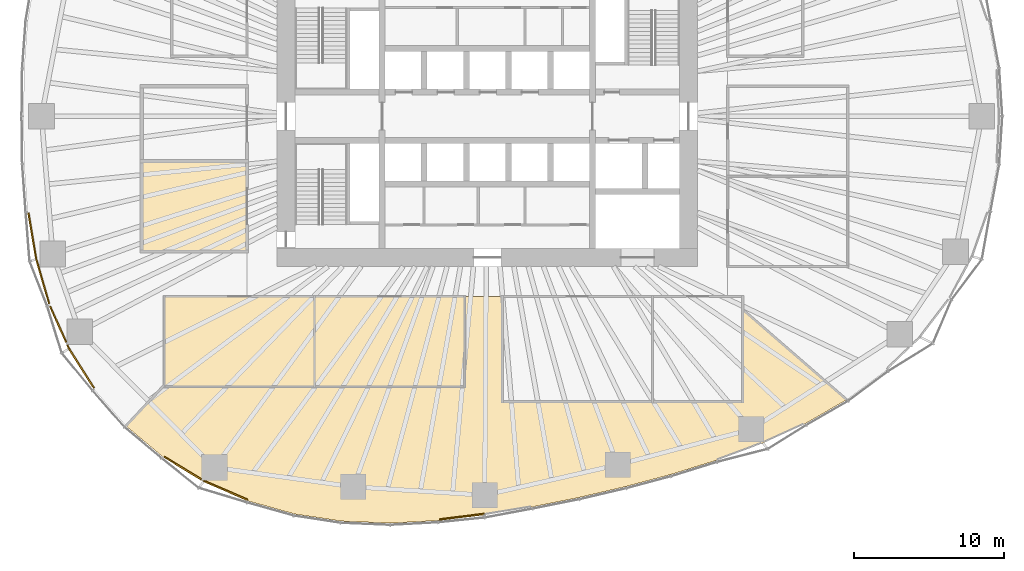
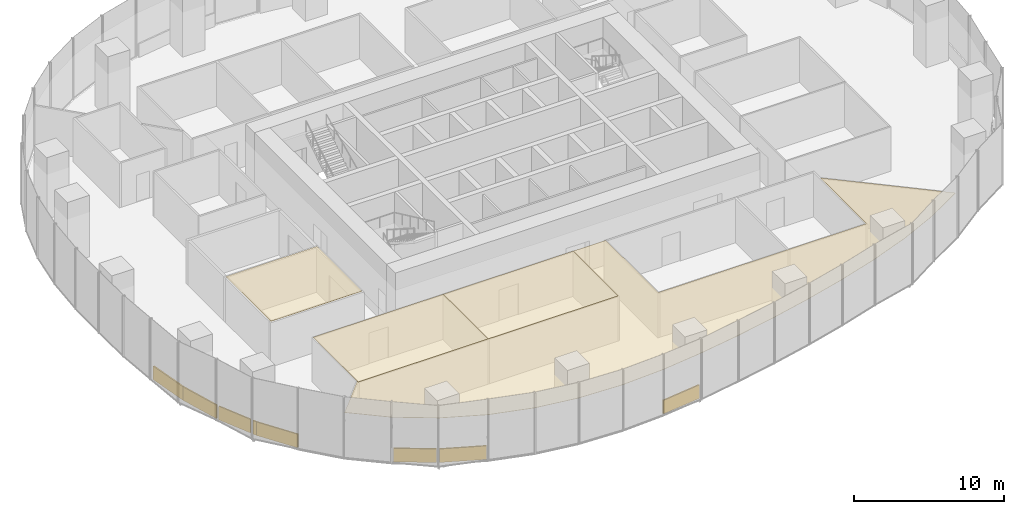
# One storey, part 17 of 20: 12 coverings.
"""IFC4 building model written with IfcOpenShell, lengths in metres."""

from ifc_helpers import new_model, si_unit, direction, frame, origin, origin_2d, place, context, subcontext, project, spatial, polyline, rectangle, outline, extrude, material, layer, layer_set, type_object, element, save


model = new_model("IFC4")

# Units and contexts
model_context = context("Model", 3, precision=1e-05, world=origin(), true_north=direction((0.0, 1.0)))
body_context = subcontext(model_context, "Body", "Model", "MODEL_VIEW")
ifc_project = project(units=[si_unit("LENGTHUNIT", "METRE"), si_unit("AREAUNIT", "SQUARE_METRE"), si_unit("VOLUMEUNIT", "CUBIC_METRE"), si_unit("PLANEANGLEUNIT", "RADIAN"), si_unit("MASSUNIT", "GRAM", prefix="KILO")], contexts=[model_context])

# Site, building, storey
site_placement = place(None, origin())
site = spatial("IfcSite", under=ifc_project, at=site_placement, CompositionType="ELEMENT")
building_placement = place(site_placement, origin())
building = spatial("IfcBuilding", under=site, at=building_placement, Name="Ghaith Harvest Tower", CompositionType="ELEMENT")
storey_placement = place(building_placement, frame((0.0, 0.0, 80.0)))
storey = spatial("IfcBuildingStorey", under=building, at=storey_placement, Name="L16", CompositionType="ELEMENT", Elevation=80.0)

# Coverings
ifc_material_1 = material(Name="Mineral fibre ceiling tile", Category="gypsum")
ifc_layer_1 = layer(ifc_material_1, 0.02490234375)
ifc_layer_set_1 = layer_set([ifc_layer_1], Name="CEILING C2")
covering_type_1 = type_object("IfcCoveringType", Name="CEILING C2", PredefinedType="CEILING", material=ifc_layer_set_1)
covering_1_placement = place(storey_placement, frame((0.0, 0.0, 3.60009765625)))
element("IfcCovering", 1, at=covering_1_placement, inside=storey, type_object=covering_type_1, Name="Ceiling L16-01", PredefinedType="CEILING", context=body_context, shape_type="SweptSolid", body=[
    extrude(outline(polyline([(-21.5, -18.0), (-11.5, -18.0), (-11.5, -12.0), (-21.5, -12.0), (-21.5, -18.0)])), origin(), (0.0, 0.0, 1.0), 0.02490234375),
])
covering_2_placement = place(storey_placement, frame((0.0, 0.0, 3.60009765625)))
element("IfcCovering", 2, at=covering_2_placement, inside=storey, type_object=covering_type_1, Name="Ceiling L16-02", PredefinedType="CEILING", context=body_context, shape_type="SweptSolid", body=[
    extrude(outline(polyline([(-11.5, -18.0), (-1.5, -18.0), (-1.5, -12.0), (-11.5, -12.0), (-11.5, -18.0)])), origin(), (0.0, 0.0, 1.0), 0.02490234375),
])
covering_3_placement = place(storey_placement, frame((0.0, 0.0, 3.60009765625)))
element("IfcCovering", 3, at=covering_3_placement, inside=storey, type_object=covering_type_1, Name="Ceiling L16-11", PredefinedType="CEILING", context=body_context, shape_type="SweptSolid", body=[
    extrude(outline(polyline([(-23.0, -9.0), (-16.0, -9.0), (-16.0, -3.0), (-23.0, -3.0), (-23.0, -9.0)])), origin(), (0.0, 0.0, 1.0), 0.02490234375),
])
covering_4_placement = place(storey_placement, frame((0.0, 0.0, 3.60009765625)))
element("IfcCovering", 4, at=covering_4_placement, inside=storey, type_object=covering_type_1, Name="Ceiling L16-S1", PredefinedType="CEILING", context=body_context, shape_type="SweptSolid", body=[
    extrude(outline(polyline([(-12.828125, -26.476806640625), (-15.907958984375, -25.614501953125), (-18.8935546875, -24.32763671875), (-21.59912109375, -22.671142578125), (-24.04833984375, -20.618408203125), (-21.5, -17.8896484375), (-21.5, -18.0), (-1.5, -18.0), (-1.5, -12.0), (1.0, -12.0), (1.0, -19.0), (17.0, -19.0), (17.0, -12.8671875), (23.92431640625, -18.873046875), (21.149169921875, -20.469482421875), (18.34521484375, -21.7548828125), (15.22119140625, -22.916259765625), (12.1796875, -23.857666015625), (9.21533203125, -24.65087890625), (6.10888671875, -25.378662109375), (2.99560546875, -26.004150390625), (-0.181396484375, -26.527099609375), (-3.24755859375, -26.91064453125), (-6.4375, -27.0849609375), (-9.733642578125, -26.949951171875), (-12.828125, -26.476806640625)])), origin(), (0.0, 0.0, 1.0), 0.02490234375),
])
ifc_material_2 = material(Name="Insulated aluminium spandrel panel on steel framing", Category="steel")
ifc_layer_2 = layer(ifc_material_2, 0.10009765625)
ifc_layer_set_2 = layer_set([ifc_layer_2], Name="SLAB EDGE UPSTAND 1100x100")
covering_type_2 = type_object("IfcCoveringType", Name="SLAB EDGE UPSTAND 1100x100", PredefinedType="CLADDING", material=ifc_layer_set_2)
covering_5_placement = place(storey_placement, frame((-30.28271484375, -7.982177734375, 0.0), z_axis=(0.0, 0.0, 1.0), x_axis=(0.165246181786, -0.986252350773, 0.0)))
element("IfcCovering", 5, at=covering_5_placement, inside=storey, type_object=covering_type_2, Name="Slab edge upstand 3 bay 11 L16", PredefinedType="CLADDING", context=body_context, shape_type="SweptSolid", body=[
    extrude(rectangle(XDim=3.124267578125, YDim=0.10009765625, at=origin_2d()), origin(), (0.0, 0.0, 1.0), 1.10009765625),
])
covering_6_placement = place(storey_placement, frame((-29.593994140625, -10.997314453125, 0.0), z_axis=(0.0, 0.0, 1.0), x_axis=(0.280032411303, -0.95999054611, 0.0)))
element("IfcCovering", 6, at=covering_6_placement, inside=storey, type_object=covering_type_2, Name="Slab edge upstand 1 bay 12 L16", PredefinedType="CLADDING", context=body_context, shape_type="SweptSolid", body=[
    extrude(rectangle(XDim=3.084228515625, YDim=0.10009765625, at=origin_2d()), origin(), (0.0, 0.0, 1.0), 1.10009765625),
])
covering_7_placement = place(storey_placement, frame((-28.56689453125, -13.84619140625, 0.0), z_axis=(0.0, 0.0, 1.0), x_axis=(0.407003427802, -0.913426630747, 0.0)))
element("IfcCovering", 7, at=covering_7_placement, inside=storey, type_object=covering_type_2, Name="Slab edge upstand 2 bay 12 L16", PredefinedType="CLADDING", context=body_context, shape_type="SweptSolid", body=[
    extrude(rectangle(XDim=2.60009765625, YDim=0.10009765625, at=origin_2d()), origin(), (0.0, 0.0, 1.0), 1.10009765625),
])
covering_8_placement = place(storey_placement, frame((-27.89501953125, -15.35400390625, 0.0), z_axis=(0.0, 0.0, 1.0), x_axis=(0.407003427802, -0.913426630747, 0.0)))
element("IfcCovering", 8, at=covering_8_placement, inside=storey, type_object=covering_type_2, Name="Slab edge upstand 2 bay 12 L16", PredefinedType="CLADDING", context=body_context, shape_type="SweptSolid", body=[
    extrude(rectangle(XDim=0.29052734375, YDim=0.10009765625, at=origin_2d()), origin(), (0.0, 0.0, 1.0), 1.10009765625),
])
covering_9_placement = place(storey_placement, frame((-27.0078125, -16.787353515625, 0.0), z_axis=(0.0, 0.0, 1.0), x_axis=(0.536807372204, -0.843704832952, 0.0)))
element("IfcCovering", 9, at=covering_9_placement, inside=storey, type_object=covering_type_2, Name="Slab edge upstand 3 bay 12 L16", PredefinedType="CLADDING", context=body_context, shape_type="SweptSolid", body=[
    extrude(rectangle(XDim=3.098388671875, YDim=0.10009765625, at=origin_2d()), origin(), (0.0, 0.0, 1.0), 1.10009765625),
])
covering_10_placement = place(storey_placement, frame((-20.265869140625, -23.4287109375, 0.0), z_axis=(0.0, 0.0, 1.0), x_axis=(0.852846651269, -0.522161459148, 0.0)))
element("IfcCovering", 10, at=covering_10_placement, inside=storey, type_object=covering_type_2, Name="Slab edge upstand 3 bay 13 L16", PredefinedType="CLADDING", context=body_context, shape_type="SweptSolid", body=[
    extrude(rectangle(XDim=2.864990234375, YDim=0.10009765625, at=origin_2d()), origin(), (0.0, 0.0, 1.0), 1.10009765625),
])
covering_11_placement = place(storey_placement, frame((-17.421875, -24.907470703125, 0.0), z_axis=(0.0, 0.0, 1.0), x_axis=(0.918306928324, -0.395869151856, 0.0)))
element("IfcCovering", 11, at=covering_11_placement, inside=storey, type_object=covering_type_2, Name="Slab edge upstand 1 bay 14 L16", PredefinedType="CLADDING", context=body_context, shape_type="SweptSolid", body=[
    extrude(rectangle(XDim=3.140380859375, YDim=0.10009765625, at=origin_2d()), origin(), (0.0, 0.0, 1.0), 1.10009765625),
])
covering_12_placement = place(storey_placement, frame((-1.671142578125, -26.6630859375, 0.0), z_axis=(0.0, 0.0, 1.0), x_axis=(0.992264868881, 0.124138752952, 0.0)))
element("IfcCovering", 12, at=covering_12_placement, inside=storey, type_object=covering_type_2, Name="Slab edge upstand 3 bay 15 L16", PredefinedType="CLADDING", context=body_context, shape_type="SweptSolid", body=[
    extrude(rectangle(XDim=2.98974609375, YDim=0.10009765625, at=origin_2d()), origin(), (0.0, 0.0, 1.0), 1.10009765625),
])

save(model, "model.ifc")
